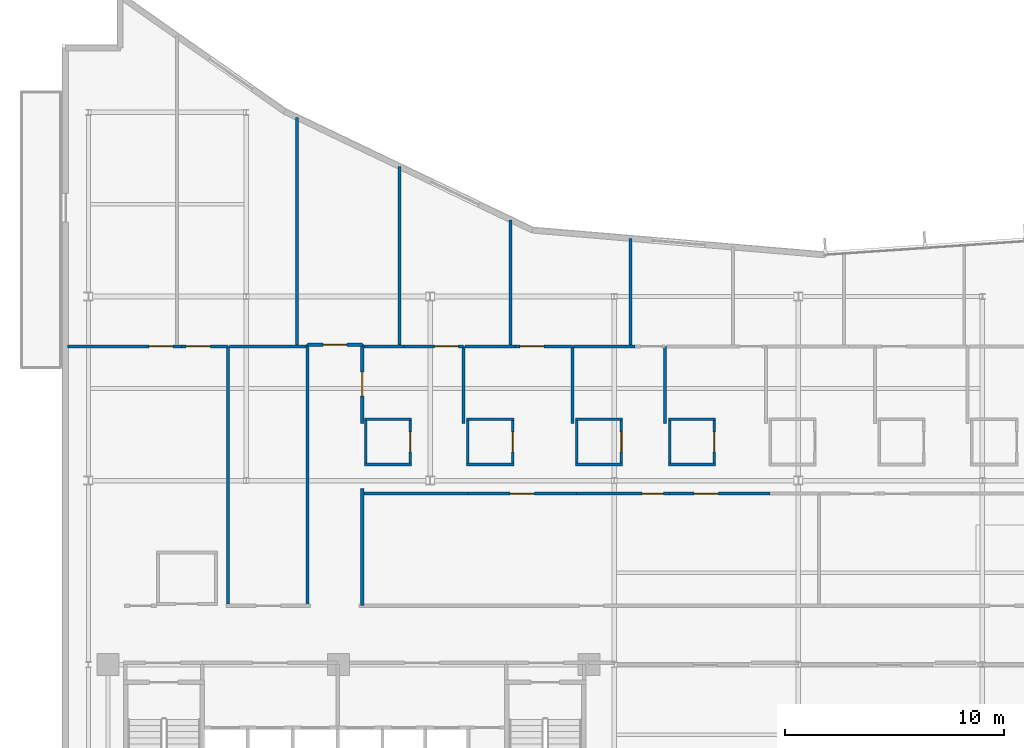
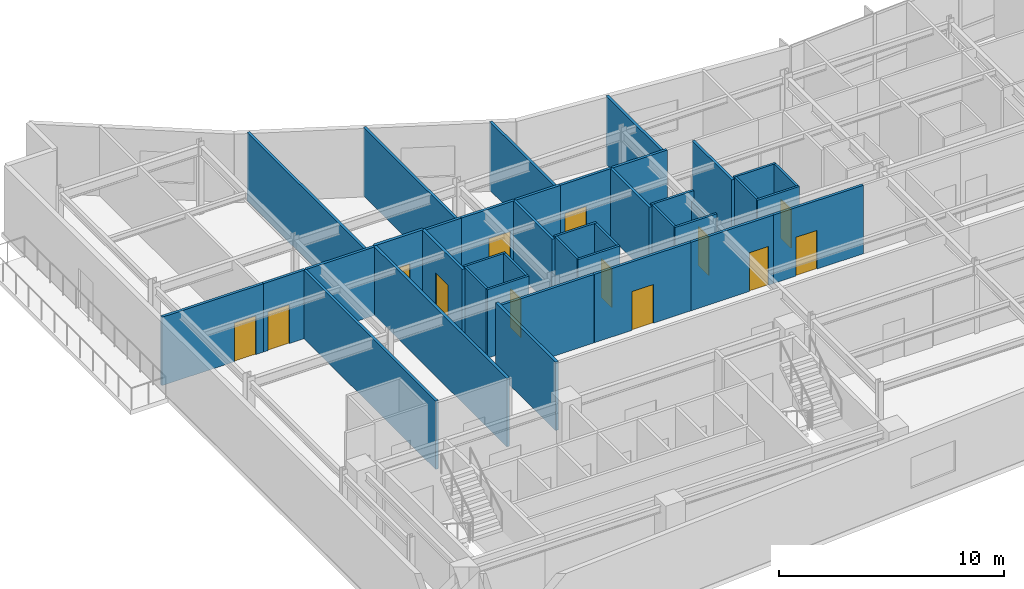
# One storey, part 11 of 16: 40 walls, 13 doors, 13 openings.
"""IFC4 building model written with IfcOpenShell, lengths in metres."""

from ifc_helpers import new_model, si_unit, direction, frame, frame_2d, origin, place, context, subcontext, project, spatial, rectangle, extrude, material, layer, layer_set, type_object, element, fill, save


model = new_model("IFC4")

# Units and contexts
model_context = context("Model", 3, precision=1e-05, world=origin(), true_north=direction((0.0, 1.0)))
body_context = subcontext(model_context, "Body", "Model", "MODEL_VIEW")
ifc_project = project(units=[si_unit("LENGTHUNIT", "METRE"), si_unit("AREAUNIT", "SQUARE_METRE"), si_unit("VOLUMEUNIT", "CUBIC_METRE"), si_unit("PLANEANGLEUNIT", "RADIAN"), si_unit("MASSUNIT", "GRAM", prefix="KILO")], contexts=[model_context])

# Site, building, storey
site_placement = place(None, origin())
site = spatial("IfcSite", under=ifc_project, at=site_placement, CompositionType="ELEMENT")
building_placement = place(site_placement, origin())
building = spatial("IfcBuilding", under=site, at=building_placement, Name="Varnakote Quay Hospital", CompositionType="ELEMENT")
storey_placement = place(building_placement, frame((0.0, 0.0, 223.699951171875)))
storey = spatial("IfcBuildingStorey", under=building, at=storey_placement, Name="L55", CompositionType="ELEMENT", Elevation=223.699951171875)

# Walls
ifc_material_1 = material(Name="Moisture-resistant bathroom partition", Category="gypsum")
ifc_layer_1 = layer(ifc_material_1, 0.114990234375)
ifc_layer_set_1 = layer_set([ifc_layer_1], Name="Moisture-resistant bathroom partition")
wall_type_1 = type_object("IfcWallType", Name="WL-ENS-115", PredefinedType="PARTITIONING", material=ifc_layer_set_1)
for number, where, z_axis, x_axis, name in (
    (1, (13.804931640625, 21.132568359375, 0.0), (0.0, 0.0, 1.0), (1.0, 0.0, 0.0), "L55 Inpatient En-Suite Bathroom 01 S Wall"),
    (2, (13.804931640625, 23.197509765625, 0.0), (0.0, 0.0, 1.0), (1.0, 0.0, 0.0), "L55 Inpatient En-Suite Bathroom 01 N Wall"),
):
    element("IfcWall", number, at=place(storey_placement, frame(where, z_axis=z_axis, x_axis=x_axis)), inside=storey, type_object=wall_type_1, Name=name, PredefinedType="PARTITIONING", context=body_context, shape_type="SweptSolid", body=[
        extrude(rectangle(XDim=2.150146484375, YDim=0.114990234375, at=frame_2d((1.0751953125, 0.0))), origin(), (0.0, 0.0, 1.0), 3.7099609375),
    ])
wall_1_placement = place(storey_placement, frame((13.862548828125, 21.18994140625, 0.0), z_axis=(0.0, 0.0, 1.0), x_axis=(0.0, 1.0, 0.0)))
element("IfcWall", 3, at=wall_1_placement, inside=storey, type_object=wall_type_1, Name="L55 Inpatient En-Suite Bathroom 01 W Wall", PredefinedType="PARTITIONING", context=body_context, shape_type="SweptSolid", body=[
    extrude(rectangle(XDim=1.949951171875, YDim=0.114990234375, at=frame_2d((0.97509765625, 0.0))), origin(), (0.0, 0.0, 1.0), 3.7099609375),
])

# Wall, opening, door
wall_2_placement = place(storey_placement, frame((15.8974609375, 21.18994140625, 0.0), z_axis=(0.0, 0.0, 1.0), x_axis=(0.0, 1.0, 0.0)))
wall_2 = element("IfcWall", 4, at=wall_2_placement, inside=storey, type_object=wall_type_1, Name="L55 Inpatient En-Suite Bathroom 01 E Wall", PredefinedType="PARTITIONING", context=body_context, shape_type="SweptSolid", body=[
    extrude(rectangle(XDim=1.949951171875, YDim=0.114990234375, at=frame_2d((0.97509765625, 0.0))), origin(), (0.0, 0.0, 1.0), 3.7099609375),
])
opening_1_placement = place(wall_2_placement, frame((0.514892578125, 0.0, 0.0)))
opening_1 = element("IfcOpeningElement", 5, at=opening_1_placement, cuts=wall_2, Name="Opening D-L55-ENS01", PredefinedType="OPENING", context=body_context, shape_type="SweptSolid", body=[
    extrude(rectangle(XDim=0.919921875, YDim=2.10009765625, at=frame_2d((0.4599609375, 1.050048828125))), frame((0.0, 0.0673828125, 0.0), z_axis=(0.0, -1.0, 0.0), x_axis=(1.0, 0.0, 0.0)), (0.0, 0.0, 1.0), 0.135009765625),
])
ifc_material_2 = material(Name="Moisture-sealed en-suite bathroom door")
door_type_1 = type_object("IfcDoorType", Name="DR-ENS-920x2100", OperationType="NOTDEFINED", PredefinedType="DOOR", material=ifc_material_2)
door_1_placement = place(opening_1_placement, origin())
door_1 = element("IfcDoor", 6, at=door_1_placement, inside=storey, type_object=door_type_1, Name="L55 Inpatient En-Suite Bathroom 01 Door", OperationType="SINGLE_SWING_LEFT", OverallHeight=2.10009765625, OverallWidth=0.919921875, PredefinedType="DOOR", context=body_context, shape_type="SweptSolid", body=[
    extrude(rectangle(XDim=0.919921875, YDim=2.10009765625, at=frame_2d((0.4599609375, 1.050048828125))), frame((0.0, 0.02490234375, 0.0), z_axis=(0.0, -1.0, 0.0), x_axis=(1.0, 0.0, 0.0)), (0.0, 0.0, 1.0), 0.050048828125),
])
fill(opening_1, door_1)

# Walls
for number, where, z_axis, x_axis, name in (
    (7, (18.465087890625, 21.132568359375, 0.0), (0.0, 0.0, 1.0), (1.0, 0.0, 0.0), "L55 Inpatient En-Suite Bathroom 02 S Wall"),
    (8, (18.465087890625, 23.197509765625, 0.0), (0.0, 0.0, 1.0), (1.0, 0.0, 0.0), "L55 Inpatient En-Suite Bathroom 02 N Wall"),
):
    element("IfcWall", number, at=place(storey_placement, frame(where, z_axis=z_axis, x_axis=x_axis)), inside=storey, type_object=wall_type_1, Name=name, PredefinedType="PARTITIONING", context=body_context, shape_type="SweptSolid", body=[
        extrude(rectangle(XDim=2.14990234375, YDim=0.114990234375, at=frame_2d((1.074951171875, 0.0))), origin(), (0.0, 0.0, 1.0), 3.7099609375),
    ])
wall_3_placement = place(storey_placement, frame((18.5224609375, 21.18994140625, 0.0), z_axis=(0.0, 0.0, 1.0), x_axis=(0.0, 1.0, 0.0)))
element("IfcWall", 9, at=wall_3_placement, inside=storey, type_object=wall_type_1, Name="L55 Inpatient En-Suite Bathroom 02 W Wall", PredefinedType="PARTITIONING", context=body_context, shape_type="SweptSolid", body=[
    extrude(rectangle(XDim=1.949951171875, YDim=0.114990234375, at=frame_2d((0.97509765625, 0.0))), origin(), (0.0, 0.0, 1.0), 3.7099609375),
])

# Wall, opening, door
wall_4_placement = place(storey_placement, frame((20.5576171875, 21.18994140625, 0.0), z_axis=(0.0, 0.0, 1.0), x_axis=(0.0, 1.0, 0.0)))
wall_4 = element("IfcWall", 10, at=wall_4_placement, inside=storey, type_object=wall_type_1, Name="L55 Inpatient En-Suite Bathroom 02 E Wall", PredefinedType="PARTITIONING", context=body_context, shape_type="SweptSolid", body=[
    extrude(rectangle(XDim=1.949951171875, YDim=0.114990234375, at=frame_2d((0.97509765625, 0.0))), origin(), (0.0, 0.0, 1.0), 3.7099609375),
])
opening_2_placement = place(wall_4_placement, frame((0.514892578125, 0.0, 0.0)))
opening_2 = element("IfcOpeningElement", 11, at=opening_2_placement, cuts=wall_4, Name="Opening D-L55-ENS02", PredefinedType="OPENING", context=body_context, shape_type="SweptSolid", body=[
    extrude(rectangle(XDim=0.919921875, YDim=2.10009765625, at=frame_2d((0.4599609375, 1.050048828125))), frame((0.0, 0.0673828125, 0.0), z_axis=(0.0, -1.0, 0.0), x_axis=(1.0, 0.0, 0.0)), (0.0, 0.0, 1.0), 0.135009765625),
])
door_2_placement = place(opening_2_placement, origin())
door_2 = element("IfcDoor", 12, at=door_2_placement, inside=storey, type_object=door_type_1, Name="L55 Inpatient En-Suite Bathroom 02 Door", OperationType="SINGLE_SWING_RIGHT", OverallHeight=2.10009765625, OverallWidth=0.919921875, PredefinedType="DOOR", context=body_context, shape_type="SweptSolid", body=[
    extrude(rectangle(XDim=0.919921875, YDim=2.10009765625, at=frame_2d((0.4599609375, 1.050048828125))), frame((0.0, 0.02490234375, 0.0), z_axis=(0.0, -1.0, 0.0), x_axis=(1.0, 0.0, 0.0)), (0.0, 0.0, 1.0), 0.050048828125),
])
fill(opening_2, door_2)

# Walls
for number, where, z_axis, x_axis, name in (
    (13, (23.43505859375, 21.132568359375, 0.0), (0.0, 0.0, 1.0), (1.0, 0.0, 0.0), "L55 Inpatient En-Suite Bathroom 03 S Wall"),
    (14, (23.43505859375, 23.197509765625, 0.0), (0.0, 0.0, 1.0), (1.0, 0.0, 0.0), "L55 Inpatient En-Suite Bathroom 03 N Wall"),
):
    element("IfcWall", number, at=place(storey_placement, frame(where, z_axis=z_axis, x_axis=x_axis)), inside=storey, type_object=wall_type_1, Name=name, PredefinedType="PARTITIONING", context=body_context, shape_type="SweptSolid", body=[
        extrude(rectangle(XDim=2.14990234375, YDim=0.114990234375, at=frame_2d((1.074951171875, 0.0))), origin(), (0.0, 0.0, 1.0), 3.7099609375),
    ])
wall_5_placement = place(storey_placement, frame((23.492431640625, 21.18994140625, 0.0), z_axis=(0.0, 0.0, 1.0), x_axis=(0.0, 1.0, 0.0)))
element("IfcWall", 15, at=wall_5_placement, inside=storey, type_object=wall_type_1, Name="L55 Inpatient En-Suite Bathroom 03 W Wall", PredefinedType="PARTITIONING", context=body_context, shape_type="SweptSolid", body=[
    extrude(rectangle(XDim=1.949951171875, YDim=0.114990234375, at=frame_2d((0.97509765625, 0.0))), origin(), (0.0, 0.0, 1.0), 3.7099609375),
])

# Wall, opening, door
wall_6_placement = place(storey_placement, frame((25.527587890625, 21.18994140625, 0.0), z_axis=(0.0, 0.0, 1.0), x_axis=(0.0, 1.0, 0.0)))
wall_6 = element("IfcWall", 16, at=wall_6_placement, inside=storey, type_object=wall_type_1, Name="L55 Inpatient En-Suite Bathroom 03 E Wall", PredefinedType="PARTITIONING", context=body_context, shape_type="SweptSolid", body=[
    extrude(rectangle(XDim=1.949951171875, YDim=0.114990234375, at=frame_2d((0.97509765625, 0.0))), origin(), (0.0, 0.0, 1.0), 3.156982421875),
])
opening_3_placement = place(wall_6_placement, frame((0.514892578125, 0.0, 0.0)))
opening_3 = element("IfcOpeningElement", 17, at=opening_3_placement, cuts=wall_6, Name="Opening D-L55-ENS03", PredefinedType="OPENING", context=body_context, shape_type="SweptSolid", body=[
    extrude(rectangle(XDim=0.919921875, YDim=2.10009765625, at=frame_2d((0.4599609375, 1.050048828125))), frame((0.0, 0.0673828125, 0.0), z_axis=(0.0, -1.0, 0.0), x_axis=(1.0, 0.0, 0.0)), (0.0, 0.0, 1.0), 0.135009765625),
])
door_3_placement = place(opening_3_placement, origin())
door_3 = element("IfcDoor", 18, at=door_3_placement, inside=storey, type_object=door_type_1, Name="L55 Inpatient En-Suite Bathroom 03 Door", OperationType="SINGLE_SWING_LEFT", OverallHeight=2.10009765625, OverallWidth=0.919921875, PredefinedType="DOOR", context=body_context, shape_type="SweptSolid", body=[
    extrude(rectangle(XDim=0.919921875, YDim=2.10009765625, at=frame_2d((0.4599609375, 1.050048828125))), frame((0.0, 0.02490234375, 0.0), z_axis=(0.0, -1.0, 0.0), x_axis=(1.0, 0.0, 0.0)), (0.0, 0.0, 1.0), 0.050048828125),
])
fill(opening_3, door_3)

# Walls
for number, where, z_axis, x_axis, name in (
    (19, (27.6650390625, 21.132568359375, 0.0), (0.0, 0.0, 1.0), (1.0, 0.0, 0.0), "L55 Inpatient En-Suite Bathroom 04 S Wall"),
    (20, (27.6650390625, 23.197509765625, 0.0), (0.0, 0.0, 1.0), (1.0, 0.0, 0.0), "L55 Inpatient En-Suite Bathroom 04 N Wall"),
):
    element("IfcWall", number, at=place(storey_placement, frame(where, z_axis=z_axis, x_axis=x_axis)), inside=storey, type_object=wall_type_1, Name=name, PredefinedType="PARTITIONING", context=body_context, shape_type="SweptSolid", body=[
        extrude(rectangle(XDim=2.14990234375, YDim=0.114990234375, at=frame_2d((1.074951171875, 0.0))), origin(), (0.0, 0.0, 1.0), 3.7099609375),
    ])
wall_7_placement = place(storey_placement, frame((27.722412109375, 21.18994140625, 0.0), z_axis=(0.0, 0.0, 1.0), x_axis=(0.0, 1.0, 0.0)))
element("IfcWall", 21, at=wall_7_placement, inside=storey, type_object=wall_type_1, Name="L55 Inpatient En-Suite Bathroom 04 W Wall", PredefinedType="PARTITIONING", context=body_context, shape_type="SweptSolid", body=[
    extrude(rectangle(XDim=1.949951171875, YDim=0.114990234375, at=frame_2d((0.97509765625, 0.0))), origin(), (0.0, 0.0, 1.0), 3.7099609375),
])

# Wall, opening, door
wall_8_placement = place(storey_placement, frame((29.757568359375, 21.18994140625, 0.0), z_axis=(0.0, 0.0, 1.0), x_axis=(0.0, 1.0, 0.0)))
wall_8 = element("IfcWall", 22, at=wall_8_placement, inside=storey, type_object=wall_type_1, Name="L55 Inpatient En-Suite Bathroom 04 E Wall", PredefinedType="PARTITIONING", context=body_context, shape_type="SweptSolid", body=[
    extrude(rectangle(XDim=1.949951171875, YDim=0.114990234375, at=frame_2d((0.97509765625, 0.0))), origin(), (0.0, 0.0, 1.0), 3.7099609375),
])
opening_4_placement = place(wall_8_placement, frame((0.514892578125, 0.0, 0.0)))
opening_4 = element("IfcOpeningElement", 23, at=opening_4_placement, cuts=wall_8, Name="Opening D-L55-ENS04", PredefinedType="OPENING", context=body_context, shape_type="SweptSolid", body=[
    extrude(rectangle(XDim=0.919921875, YDim=2.10009765625, at=frame_2d((0.4599609375, 1.050048828125))), frame((0.0, 0.0673828125, 0.0), z_axis=(0.0, -1.0, 0.0), x_axis=(1.0, 0.0, 0.0)), (0.0, 0.0, 1.0), 0.135009765625),
])
door_4_placement = place(opening_4_placement, origin())
door_4 = element("IfcDoor", 24, at=door_4_placement, inside=storey, type_object=door_type_1, Name="L55 Inpatient En-Suite Bathroom 04 Door", OperationType="SINGLE_SWING_RIGHT", OverallHeight=2.10009765625, OverallWidth=0.919921875, PredefinedType="DOOR", context=body_context, shape_type="SweptSolid", body=[
    extrude(rectangle(XDim=0.919921875, YDim=2.10009765625, at=frame_2d((0.4599609375, 1.050048828125))), frame((0.0, 0.02490234375, 0.0), z_axis=(0.0, -1.0, 0.0), x_axis=(1.0, 0.0, 0.0)), (0.0, 0.0, 1.0), 0.050048828125),
])
fill(opening_4, door_4)

# Wall
ifc_material_3 = material(Name="Smoke-proof clinical partition", Category="gypsum")
ifc_layer_2 = layer(ifc_material_3, 0.135009765625)
ifc_layer_set_2 = layer_set([ifc_layer_2], Name="Smoke-proof clinical partition")
wall_type_2 = type_object("IfcWallType", Name="WL-SMOKE-135", PredefinedType="PARTITIONING", material=ifc_layer_set_2)
wall_9_placement = place(storey_placement, frame((7.580078125, 14.760009765625, 0.0), z_axis=(0.0, 0.0, 1.0), x_axis=(0.0, 1.0, 0.0)))
element("IfcWall", 25, at=wall_9_placement, inside=storey, type_object=wall_type_2, Name="L55 Clinical Interior Partition", PredefinedType="PARTITIONING", context=body_context, shape_type="SweptSolid", body=[
    extrude(rectangle(XDim=11.760009765625, YDim=0.135009765625, at=frame_2d((5.8798828125, 0.0))), origin(), (0.0, 0.0, 1.0), 3.7099609375),
])

# Wall, opening, door
wall_10_placement = place(storey_placement, frame((5.444580078125, 26.52001953125, 0.0), z_axis=(0.0, 0.0, 1.0), x_axis=(-1.0, 0.0, 0.0)))
wall_10 = element("IfcWall", 26, at=wall_10_placement, inside=storey, type_object=wall_type_2, Name="L55 Clinical Interior Partition", PredefinedType="PARTITIONING", context=body_context, shape_type="SweptSolid", body=[
    extrude(rectangle(XDim=5.20458984375, YDim=0.135009765625, at=frame_2d((2.602294921875, 0.0))), origin(), (0.0, 0.0, 1.0), 3.7099609375),
])
opening_5_placement = place(wall_10_placement, frame((0.38525390625, 0.0, 0.0)))
opening_5 = element("IfcOpeningElement", 27, at=opening_5_placement, cuts=wall_10, Name="Opening D-L55-MD03", PredefinedType="OPENING", context=body_context, shape_type="SweptSolid", body=[
    extrude(rectangle(XDim=1.10009765625, YDim=2.10009765625, at=frame_2d((0.550048828125, 1.050048828125))), frame((0.0, 0.077392578125, 0.0), z_axis=(0.0, -1.0, 0.0), x_axis=(1.0, 0.0, 0.0)), (0.0, 0.0, 1.0), 0.155029296875),
])
ifc_material_4 = material(Name="Acoustic timber clinical consult door", Category="wood")
door_type_2 = type_object("IfcDoorType", Name="DR-CLIN-FD30S-1100x2100", OperationType="NOTDEFINED", PredefinedType="DOOR", material=ifc_material_4)
door_5_placement = place(opening_5_placement, origin())
door_5 = element("IfcDoor", 28, at=door_5_placement, inside=storey, type_object=door_type_2, Name="L55 Preventive Cardiology Office Door", OperationType="SINGLE_SWING_RIGHT", OverallHeight=2.10009765625, OverallWidth=1.10009765625, PredefinedType="DOOR", context=body_context, shape_type="SweptSolid", body=[
    extrude(rectangle(XDim=1.10009765625, YDim=2.10009765625, at=frame_2d((0.550048828125, 1.050048828125))), frame((0.0, 0.02490234375, 0.0), z_axis=(0.0, -1.0, 0.0), x_axis=(1.0, 0.0, 0.0)), (0.0, 0.0, 1.0), 0.050048828125),
])
fill(opening_5, door_5)

wall_11_placement = place(storey_placement, frame((7.580078125, 26.52001953125, 0.0), z_axis=(0.0, 0.0, 1.0), x_axis=(-1.0, 0.0, 0.0)))
wall_11 = element("IfcWall", 29, at=wall_11_placement, inside=storey, type_object=wall_type_2, Name="L55 Clinical Interior Partition", PredefinedType="PARTITIONING", context=body_context, shape_type="SweptSolid", body=[
    extrude(rectangle(XDim=2.133544921875, YDim=0.135009765625, at=frame_2d((1.06689453125, 0.0))), origin(), (0.0, 0.0, 1.0), 3.7099609375),
])
opening_6_placement = place(wall_11_placement, frame((0.817626953125, 0.0, 0.0)))
opening_6 = element("IfcOpeningElement", 30, at=opening_6_placement, cuts=wall_11, Name="Opening D-L55-MD04", PredefinedType="OPENING", context=body_context, shape_type="SweptSolid", body=[
    extrude(rectangle(XDim=1.10009765625, YDim=2.10009765625, at=frame_2d((0.550048828125, 1.050048828125))), frame((0.0, 0.077392578125, 0.0), z_axis=(0.0, -1.0, 0.0), x_axis=(1.0, 0.0, 0.0)), (0.0, 0.0, 1.0), 0.155029296875),
])
door_6_placement = place(opening_6_placement, origin())
door_6 = element("IfcDoor", 31, at=door_6_placement, inside=storey, type_object=door_type_2, Name="L55 Patient Wellness Meeting Room Door", OperationType="SINGLE_SWING_LEFT", OverallHeight=2.10009765625, OverallWidth=1.10009765625, PredefinedType="DOOR", context=body_context, shape_type="SweptSolid", body=[
    extrude(rectangle(XDim=1.10009765625, YDim=2.10009765625, at=frame_2d((0.550048828125, 1.050048828125))), frame((0.0, 0.02490234375, 0.0), z_axis=(0.0, -1.0, 0.0), x_axis=(1.0, 0.0, 0.0)), (0.0, 0.0, 1.0), 0.050048828125),
])
fill(opening_6, door_6)

# Walls
wall_12_placement = place(storey_placement, frame((11.135009765625, 26.52001953125, 0.0), z_axis=(0.0, 0.0, 1.0), x_axis=(-1.0, 0.0, 0.0)))
element("IfcWall", 32, at=wall_12_placement, inside=storey, type_object=wall_type_2, Name="L55 Clinical Interior Partition", PredefinedType="PARTITIONING", context=body_context, shape_type="SweptSolid", body=[
    extrude(rectangle(XDim=3.49755859375, YDim=0.135009765625, at=frame_2d((1.748779296875, 0.0))), origin(), (0.0, 0.0, 1.0), 3.7099609375),
])
wall_13_placement = place(storey_placement, frame((18.5146484375, 19.800048828125, 0.0), z_axis=(0.0, 0.0, 1.0), x_axis=(-1.0, 0.0, 0.0)))
element("IfcWall", 33, at=wall_13_placement, inside=storey, type_object=wall_type_2, Name="L55 Clinical Interior Partition", PredefinedType="PARTITIONING", context=body_context, shape_type="SweptSolid", body=[
    extrude(rectangle(XDim=4.734619140625, YDim=0.135009765625, at=frame_2d((2.3671875, 0.0))), origin(), (0.0, 0.0, 1.0), 3.7099609375),
])

# Wall, opening, door
wall_14_placement = place(storey_placement, frame((23.484619140625, 19.800048828125, 0.0), z_axis=(0.0, 0.0, 1.0), x_axis=(-1.0, 0.0, 0.0)))
wall_14 = element("IfcWall", 34, at=wall_14_placement, inside=storey, type_object=wall_type_2, Name="L55 Clinical Interior Partition", PredefinedType="PARTITIONING", context=body_context, shape_type="SweptSolid", body=[
    extrude(rectangle(XDim=4.968017578125, YDim=0.135009765625, at=frame_2d((2.48388671875, 0.0))), origin(), (0.0, 0.0, 1.0), 3.7099609375),
])
opening_7_placement = place(wall_14_placement, frame((1.93408203125, 0.0, 0.0)))
opening_7 = element("IfcOpeningElement", 35, at=opening_7_placement, cuts=wall_14, Name="Opening D-L55-BR02", PredefinedType="OPENING", context=body_context, shape_type="SweptSolid", body=[
    extrude(rectangle(XDim=1.10009765625, YDim=2.10009765625, at=frame_2d((0.550048828125, 1.050048828125))), frame((0.0, 0.077392578125, 0.0), z_axis=(0.0, -1.0, 0.0), x_axis=(1.0, 0.0, 0.0)), (0.0, 0.0, 1.0), 0.155029296875),
])
door_7_placement = place(opening_7_placement, origin())
door_7 = element("IfcDoor", 36, at=door_7_placement, inside=storey, type_object=door_type_2, Name="L55 Inpatient Clinical Treatment Room 02 Door", OperationType="SINGLE_SWING_RIGHT", OverallHeight=2.10009765625, OverallWidth=1.10009765625, PredefinedType="DOOR", context=body_context, shape_type="SweptSolid", body=[
    extrude(rectangle(XDim=1.10009765625, YDim=2.10009765625, at=frame_2d((0.550048828125, 1.050048828125))), frame((0.0, 0.02490234375, 0.0), z_axis=(0.0, -1.0, 0.0), x_axis=(1.0, 0.0, 0.0)), (0.0, 0.0, 1.0), 0.050048828125),
])
fill(opening_7, door_7)

wall_15_placement = place(storey_placement, frame((27.714599609375, 19.800048828125, 0.0), z_axis=(0.0, 0.0, 1.0), x_axis=(-1.0, 0.0, 0.0)))
wall_15 = element("IfcWall", 37, at=wall_15_placement, inside=storey, type_object=wall_type_2, Name="L55 Clinical Interior Partition", PredefinedType="PARTITIONING", context=body_context, shape_type="SweptSolid", body=[
    extrude(rectangle(XDim=4.22802734375, YDim=0.135009765625, at=frame_2d((2.114013671875, 0.0))), origin(), (0.0, 0.0, 1.0), 3.7099609375),
])
opening_8_placement = place(wall_15_placement, frame((0.271240234375, 0.0, 0.0)))
opening_8 = element("IfcOpeningElement", 38, at=opening_8_placement, cuts=wall_15, Name="Opening D-L55-BR03", PredefinedType="OPENING", context=body_context, shape_type="SweptSolid", body=[
    extrude(rectangle(XDim=0.97998046875, YDim=2.10009765625, at=frame_2d((0.489990234375, 1.050048828125))), frame((0.0, 0.077392578125, 0.0), z_axis=(0.0, -1.0, 0.0), x_axis=(1.0, 0.0, 0.0)), (0.0, 0.0, 1.0), 0.155029296875),
])
ifc_material_5 = material(Name="Accessible sanitary compartment door")
door_type_3 = type_object("IfcDoorType", Name="DR-WC-980x2100", OperationType="NOTDEFINED", PredefinedType="DOOR", material=ifc_material_5)
door_8_placement = place(opening_8_placement, origin())
door_8 = element("IfcDoor", 39, at=door_8_placement, inside=storey, type_object=door_type_3, Name="L55 Inpatient Clinical Treatment Room 03 Door", OperationType="SINGLE_SWING_LEFT", OverallHeight=2.10009765625, OverallWidth=0.97998046875, PredefinedType="DOOR", context=body_context, shape_type="SweptSolid", body=[
    extrude(rectangle(XDim=0.97998046875, YDim=2.10009765625, at=frame_2d((0.489990234375, 1.050048828125))), frame((0.0, 0.02490234375, 0.0), z_axis=(0.0, -1.0, 0.0), x_axis=(1.0, 0.0, 0.0)), (0.0, 0.0, 1.0), 0.050048828125),
])
fill(opening_8, door_8)

wall_16_placement = place(storey_placement, frame((32.314697265625, 19.800048828125, 0.0), z_axis=(0.0, 0.0, 1.0), x_axis=(-1.0, 0.0, 0.0)))
wall_16 = element("IfcWall", 40, at=wall_16_placement, inside=storey, type_object=wall_type_2, Name="L55 Clinical Interior Partition", PredefinedType="PARTITIONING", context=body_context, shape_type="SweptSolid", body=[
    extrude(rectangle(XDim=4.59814453125, YDim=0.135009765625, at=frame_2d((2.299072265625, 0.0))), origin(), (0.0, 0.0, 1.0), 3.7099609375),
])
opening_9_placement = place(wall_16_placement, frame((2.36865234375, 0.0, 0.0)))
opening_9 = element("IfcOpeningElement", 41, at=opening_9_placement, cuts=wall_16, Name="Opening D-L55-BR04", PredefinedType="OPENING", context=body_context, shape_type="SweptSolid", body=[
    extrude(rectangle(XDim=1.10009765625, YDim=2.10009765625, at=frame_2d((0.550048828125, 1.050048828125))), frame((0.0, 0.077392578125, 0.0), z_axis=(0.0, -1.0, 0.0), x_axis=(1.0, 0.0, 0.0)), (0.0, 0.0, 1.0), 0.155029296875),
])
door_9_placement = place(opening_9_placement, origin())
door_9 = element("IfcDoor", 42, at=door_9_placement, inside=storey, type_object=door_type_2, Name="L55 Inpatient Clinical Treatment Room 04 Door", OperationType="SINGLE_SWING_RIGHT", OverallHeight=2.10009765625, OverallWidth=1.10009765625, PredefinedType="DOOR", context=body_context, shape_type="SweptSolid", body=[
    extrude(rectangle(XDim=1.10009765625, YDim=2.10009765625, at=frame_2d((0.550048828125, 1.050048828125))), frame((0.0, 0.02490234375, 0.0), z_axis=(0.0, -1.0, 0.0), x_axis=(1.0, 0.0, 0.0)), (0.0, 0.0, 1.0), 0.050048828125),
])
fill(opening_9, door_9)

# Walls
wall_17_placement = place(storey_placement, frame((18.320068359375, 23.012451171875, 0.0), z_axis=(0.0, 0.0, 1.0), x_axis=(0.0, 1.0, 0.0)))
element("IfcWall", 43, at=wall_17_placement, inside=storey, type_object=wall_type_2, Name="L55 Clinical Interior Partition", PredefinedType="PARTITIONING", context=body_context, shape_type="SweptSolid", body=[
    extrude(rectangle(XDim=3.507568359375, YDim=0.135009765625, at=frame_2d((1.75390625, 0.0))), origin(), (0.0, 0.0, 1.0), 3.7099609375),
])
wall_18_placement = place(storey_placement, frame((15.594482421875, 26.52001953125, 0.0), z_axis=(0.0, 0.0, 1.0), x_axis=(-1.0, 0.0, 0.0)))
element("IfcWall", 44, at=wall_18_placement, inside=storey, type_object=wall_type_2, Name="L55 Clinical Interior Partition", PredefinedType="PARTITIONING", context=body_context, shape_type="SweptSolid", body=[
    extrude(rectangle(XDim=1.814453125, YDim=0.135009765625, at=frame_2d((0.9072265625, 0.0))), origin(), (0.0, 0.0, 1.0), 3.7099609375),
])

# Wall, opening, door
wall_19_placement = place(storey_placement, frame((18.320068359375, 26.52001953125, 0.0), z_axis=(0.0, 0.0, 1.0), x_axis=(-1.0, 0.0, 0.0)))
wall_19 = element("IfcWall", 45, at=wall_19_placement, inside=storey, type_object=wall_type_2, Name="L55 Clinical Interior Partition", PredefinedType="PARTITIONING", context=body_context, shape_type="SweptSolid", body=[
    extrude(rectangle(XDim=2.723388671875, YDim=0.135009765625, at=frame_2d((1.36181640625, 0.0))), origin(), (0.0, 0.0, 1.0), 3.7099609375),
])
opening_10_placement = place(wall_19_placement, frame((0.230712890625, 0.0, 0.0)))
opening_10 = element("IfcOpeningElement", 46, at=opening_10_placement, cuts=wall_19, Name="Opening D-L55-MD06", PredefinedType="OPENING", context=body_context, shape_type="SweptSolid", body=[
    extrude(rectangle(XDim=1.10009765625, YDim=2.10009765625, at=frame_2d((0.550048828125, 1.050048828125))), frame((0.0, 0.077392578125, 0.0), z_axis=(0.0, -1.0, 0.0), x_axis=(1.0, 0.0, 0.0)), (0.0, 0.0, 1.0), 0.155029296875),
])
door_10_placement = place(opening_10_placement, origin())
door_10 = element("IfcDoor", 47, at=door_10_placement, inside=storey, type_object=door_type_2, Name="L55 Cardiac Rehab Treatment Suite Door", OperationType="SINGLE_SWING_LEFT", OverallHeight=2.10009765625, OverallWidth=1.10009765625, PredefinedType="DOOR", context=body_context, shape_type="SweptSolid", body=[
    extrude(rectangle(XDim=1.10009765625, YDim=2.10009765625, at=frame_2d((0.550048828125, 1.050048828125))), frame((0.0, 0.02490234375, 0.0), z_axis=(0.0, -1.0, 0.0), x_axis=(1.0, 0.0, 0.0)), (0.0, 0.0, 1.0), 0.050048828125),
])
fill(opening_10, door_10)

# Walls
wall_20_placement = place(storey_placement, frame((23.2900390625, 23.012451171875, 0.0), z_axis=(0.0, 0.0, 1.0), x_axis=(0.0, 1.0, 0.0)))
element("IfcWall", 48, at=wall_20_placement, inside=storey, type_object=wall_type_2, Name="L55 Clinical Interior Partition", PredefinedType="PARTITIONING", context=body_context, shape_type="SweptSolid", body=[
    extrude(rectangle(XDim=3.507568359375, YDim=0.135009765625, at=frame_2d((1.75390625, 0.0))), origin(), (0.0, 0.0, 1.0), 3.7099609375),
])
wall_21_placement = place(storey_placement, frame((20.66455078125, 26.52001953125, 0.0), z_axis=(0.0, 0.0, 1.0), x_axis=(-1.0, 0.0, 0.0)))
element("IfcWall", 49, at=wall_21_placement, inside=storey, type_object=wall_type_2, Name="L55 Clinical Interior Partition", PredefinedType="PARTITIONING", context=body_context, shape_type="SweptSolid", body=[
    extrude(rectangle(XDim=2.287109375, YDim=0.135009765625, at=frame_2d((1.1435546875, 0.0))), origin(), (0.0, 0.0, 1.0), 3.7099609375),
])

# Wall, opening, door
wall_22_placement = place(storey_placement, frame((23.2900390625, 26.52001953125, 0.0), z_axis=(0.0, 0.0, 1.0), x_axis=(-1.0, 0.0, 0.0)))
wall_22 = element("IfcWall", 50, at=wall_22_placement, inside=storey, type_object=wall_type_2, Name="L55 Clinical Interior Partition", PredefinedType="PARTITIONING", context=body_context, shape_type="SweptSolid", body=[
    extrude(rectangle(XDim=2.62353515625, YDim=0.135009765625, at=frame_2d((1.311767578125, 0.0))), origin(), (0.0, 0.0, 1.0), 3.7099609375),
])
opening_11_placement = place(wall_22_placement, frame((1.29541015625, 0.0, 0.0)))
opening_11 = element("IfcOpeningElement", 51, at=opening_11_placement, cuts=wall_22, Name="Opening D-L55-MD07", PredefinedType="OPENING", context=body_context, shape_type="SweptSolid", body=[
    extrude(rectangle(XDim=1.10009765625, YDim=2.10009765625, at=frame_2d((0.550048828125, 1.050048828125))), frame((0.0, 0.077392578125, 0.0), z_axis=(0.0, -1.0, 0.0), x_axis=(1.0, 0.0, 0.0)), (0.0, 0.0, 1.0), 0.155029296875),
])
door_11_placement = place(opening_11_placement, origin())
door_11 = element("IfcDoor", 52, at=door_11_placement, inside=storey, type_object=door_type_2, Name="L55 Preventive Cardiology Office Door", OperationType="SINGLE_SWING_RIGHT", OverallHeight=2.10009765625, OverallWidth=1.10009765625, PredefinedType="DOOR", context=body_context, shape_type="SweptSolid", body=[
    extrude(rectangle(XDim=1.10009765625, YDim=2.10009765625, at=frame_2d((0.550048828125, 1.050048828125))), frame((0.0, 0.02490234375, 0.0), z_axis=(0.0, -1.0, 0.0), x_axis=(1.0, 0.0, 0.0)), (0.0, 0.0, 1.0), 0.050048828125),
])
fill(opening_11, door_11)

# Walls
wall_23_placement = place(storey_placement, frame((27.52001953125, 23.012451171875, 0.0), z_axis=(0.0, 0.0, 1.0), x_axis=(0.0, 1.0, 0.0)))
element("IfcWall", 53, at=wall_23_placement, inside=storey, type_object=wall_type_2, Name="L55 Clinical Interior Partition", PredefinedType="PARTITIONING", context=body_context, shape_type="SweptSolid", body=[
    extrude(rectangle(XDim=3.507568359375, YDim=0.135009765625, at=frame_2d((1.75390625, 0.0))), origin(), (0.0, 0.0, 1.0), 3.7099609375),
])
wall_24_placement = place(storey_placement, frame((26.14453125, 26.52001953125, 0.0), z_axis=(0.0, 0.0, 1.0), x_axis=(-1.0, 0.0, 0.0)))
element("IfcWall", 54, at=wall_24_placement, inside=storey, type_object=wall_type_2, Name="L55 Clinical Interior Partition", PredefinedType="PARTITIONING", context=body_context, shape_type="SweptSolid", body=[
    extrude(rectangle(XDim=2.797119140625, YDim=0.135009765625, at=frame_2d((1.3984375, 0.0))), origin(), (0.0, 0.0, 1.0), 3.7099609375),
])
wall_25_placement = place(storey_placement, frame((10.72998046875, 26.577392578125, 0.0), z_axis=(0.0, 0.0, 1.0), x_axis=(0.0, 1.0, 0.0)))
element("IfcWall", 55, at=wall_25_placement, inside=storey, type_object=wall_type_2, Name="L55 Clinical Interior Partition", PredefinedType="PARTITIONING", context=body_context, shape_type="SweptSolid", body=[
    extrude(rectangle(XDim=10.386474609375, YDim=0.135009765625, at=frame_2d((5.193359375, 0.0))), origin(), (0.0, 0.0, 1.0), 3.7099609375),
])
wall_26_placement = place(storey_placement, frame((15.39990234375, 26.577392578125, 0.0), z_axis=(0.0, 0.0, 1.0), x_axis=(0.0, 1.0, 0.0)))
element("IfcWall", 56, at=wall_26_placement, inside=storey, type_object=wall_type_2, Name="L55 Clinical Interior Partition", PredefinedType="PARTITIONING", context=body_context, shape_type="SweptSolid", body=[
    extrude(rectangle(XDim=8.1494140625, YDim=0.135009765625, at=frame_2d((4.07470703125, 0.0))), origin(), (0.0, 0.0, 1.0), 3.7099609375),
])
wall_27_placement = place(storey_placement, frame((20.469970703125, 26.577392578125, 0.0), z_axis=(0.0, 0.0, 1.0), x_axis=(0.0, 1.0, 0.0)))
element("IfcWall", 57, at=wall_27_placement, inside=storey, type_object=wall_type_2, Name="L55 Clinical Interior Partition", PredefinedType="PARTITIONING", context=body_context, shape_type="SweptSolid", body=[
    extrude(rectangle(XDim=5.720458984375, YDim=0.135009765625, at=frame_2d((2.8603515625, 0.0))), origin(), (0.0, 0.0, 1.0), 3.7099609375),
])
wall_28_placement = place(storey_placement, frame((25.949951171875, 26.577392578125, 0.0), z_axis=(0.0, 0.0, 1.0), x_axis=(0.0, 1.0, 0.0)))
element("IfcWall", 58, at=wall_28_placement, inside=storey, type_object=wall_type_2, Name="L55 Clinical Interior Partition", PredefinedType="PARTITIONING", context=body_context, shape_type="SweptSolid", body=[
    extrude(rectangle(XDim=4.86669921875, YDim=0.135009765625, at=frame_2d((2.433349609375, 0.0))), origin(), (0.0, 0.0, 1.0), 3.7099609375),
])
ifc_material_6 = material(Name="Fire-rated clinical gypsum partition", Category="gypsum")
ifc_layer_3 = layer(ifc_material_6, 0.14990234375)
ifc_layer_set_3 = layer_set([ifc_layer_3], Name="Fire-rated clinical gypsum partition")
wall_type_3 = type_object("IfcWallType", Name="WL-WARD-150", PredefinedType="PARTITIONING", material=ifc_layer_set_3)
wall_29_placement = place(storey_placement, frame((11.199951171875, 26.60009765625, 0.0), z_axis=(0.0, 0.0, 1.0), x_axis=(0.0, -1.0, 0.0)))
element("IfcWall", 59, at=wall_29_placement, inside=storey, type_object=wall_type_3, Name="L55 Clinical Interior Partition", PredefinedType="PARTITIONING", context=body_context, shape_type="SweptSolid", body=[
    extrude(rectangle(XDim=11.900146484375, YDim=0.14990234375, at=frame_2d((5.9501953125, 0.0))), origin(), (0.0, 0.0, 1.0), 3.7099609375),
])
wall_30_placement = place(storey_placement, frame((13.699951171875, 14.699951171875, 0.0), z_axis=(0.0, 0.0, 1.0), x_axis=(0.0, 1.0, 0.0)))
element("IfcWall", 60, at=wall_30_placement, inside=storey, type_object=wall_type_3, Name="L55 Clinical Interior Partition", PredefinedType="PARTITIONING", context=body_context, shape_type="SweptSolid", body=[
    extrude(rectangle(XDim=5.325927734375, YDim=0.14990234375, at=frame_2d((2.6630859375, 0.0))), origin(), (0.0, 0.0, 1.0), 3.7099609375),
])

# Wall, opening, door
wall_31_placement = place(storey_placement, frame((13.699951171875, 22.993896484375, 0.0), z_axis=(0.0, 0.0, 1.0), x_axis=(0.0, 1.0, 0.0)))
wall_31 = element("IfcWall", 61, at=wall_31_placement, inside=storey, type_object=wall_type_3, Name="L55 Clinical Interior Partition", PredefinedType="PARTITIONING", context=body_context, shape_type="SweptSolid", body=[
    extrude(rectangle(XDim=3.606201171875, YDim=0.14990234375, at=frame_2d((1.80322265625, 0.0))), origin(), (0.0, 0.0, 1.0), 3.7099609375),
])
opening_12_placement = place(wall_31_placement, frame((1.2529296875, 0.0, 0.0)))
opening_12 = element("IfcOpeningElement", 62, at=opening_12_placement, cuts=wall_31, Name="Opening D-L55-BR01", PredefinedType="OPENING", context=body_context, shape_type="SweptSolid", body=[
    extrude(rectangle(XDim=1.10009765625, YDim=2.10009765625, at=frame_2d((0.550048828125, 1.050048828125))), frame((0.0, 0.0849609375, 0.0), z_axis=(0.0, -1.0, 0.0), x_axis=(1.0, 0.0, 0.0)), (0.0, 0.0, 1.0), 0.169921875),
])
door_12_placement = place(opening_12_placement, origin())
door_12 = element("IfcDoor", 63, at=door_12_placement, inside=storey, type_object=door_type_2, Name="L55 Inpatient Clinical Treatment Room 01 Door", OperationType="SINGLE_SWING_RIGHT", OverallHeight=2.10009765625, OverallWidth=1.10009765625, PredefinedType="DOOR", context=body_context, shape_type="SweptSolid", body=[
    extrude(rectangle(XDim=1.10009765625, YDim=2.10009765625, at=frame_2d((0.550048828125, 1.050048828125))), frame((0.0, 0.02490234375, 0.0), z_axis=(0.0, -1.0, 0.0), x_axis=(1.0, 0.0, 0.0)), (0.0, 0.0, 1.0), 0.050048828125),
])
fill(opening_12, door_12)

wall_32_placement = place(storey_placement, frame((13.699951171875, 26.60009765625, 0.0), z_axis=(0.0, 0.0, 1.0), x_axis=(-1.0, 0.0, 0.0)))
wall_32 = element("IfcWall", 64, at=wall_32_placement, inside=storey, type_object=wall_type_3, Name="L55 Clinical Interior Partition", PredefinedType="PARTITIONING", context=body_context, shape_type="SweptSolid", body=[
    extrude(rectangle(XDim=2.5, YDim=0.14990234375, at=frame_2d((1.25, 0.0))), origin(), (0.0, 0.0, 1.0), 3.7099609375),
])
opening_13_placement = place(wall_32_placement, frame((0.699951171875, 0.0, 0.0)))
opening_13 = element("IfcOpeningElement", 65, at=opening_13_placement, cuts=wall_32, Name="Opening D-L55-MD05", PredefinedType="OPENING", context=body_context, shape_type="SweptSolid", body=[
    extrude(rectangle(XDim=1.10009765625, YDim=2.10009765625, at=frame_2d((0.550048828125, 1.050048828125))), frame((0.0, 0.0849609375, 0.0), z_axis=(0.0, -1.0, 0.0), x_axis=(1.0, 0.0, 0.0)), (0.0, 0.0, 1.0), 0.169921875),
])
door_13_placement = place(opening_13_placement, origin())
door_13 = element("IfcDoor", 66, at=door_13_placement, inside=storey, type_object=door_type_2, Name="L55 Ward Clinical Consultation Office Door", OperationType="SINGLE_SWING_LEFT", OverallHeight=2.10009765625, OverallWidth=1.10009765625, PredefinedType="DOOR", context=body_context, shape_type="SweptSolid", body=[
    extrude(rectangle(XDim=1.10009765625, YDim=2.10009765625, at=frame_2d((0.550048828125, 1.050048828125))), frame((0.0, 0.02490234375, 0.0), z_axis=(0.0, -1.0, 0.0), x_axis=(1.0, 0.0, 0.0)), (0.0, 0.0, 1.0), 0.050048828125),
])
fill(opening_13, door_13)

save(model, "model.ifc")
